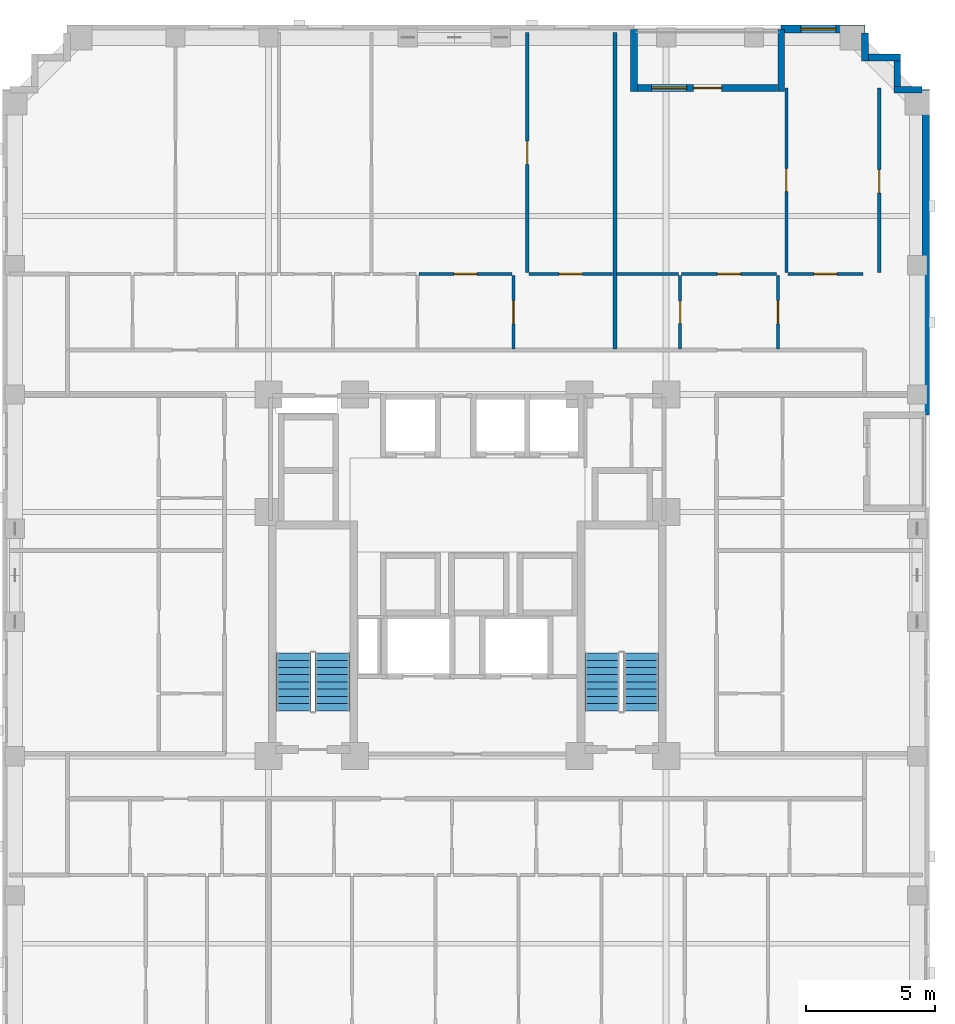
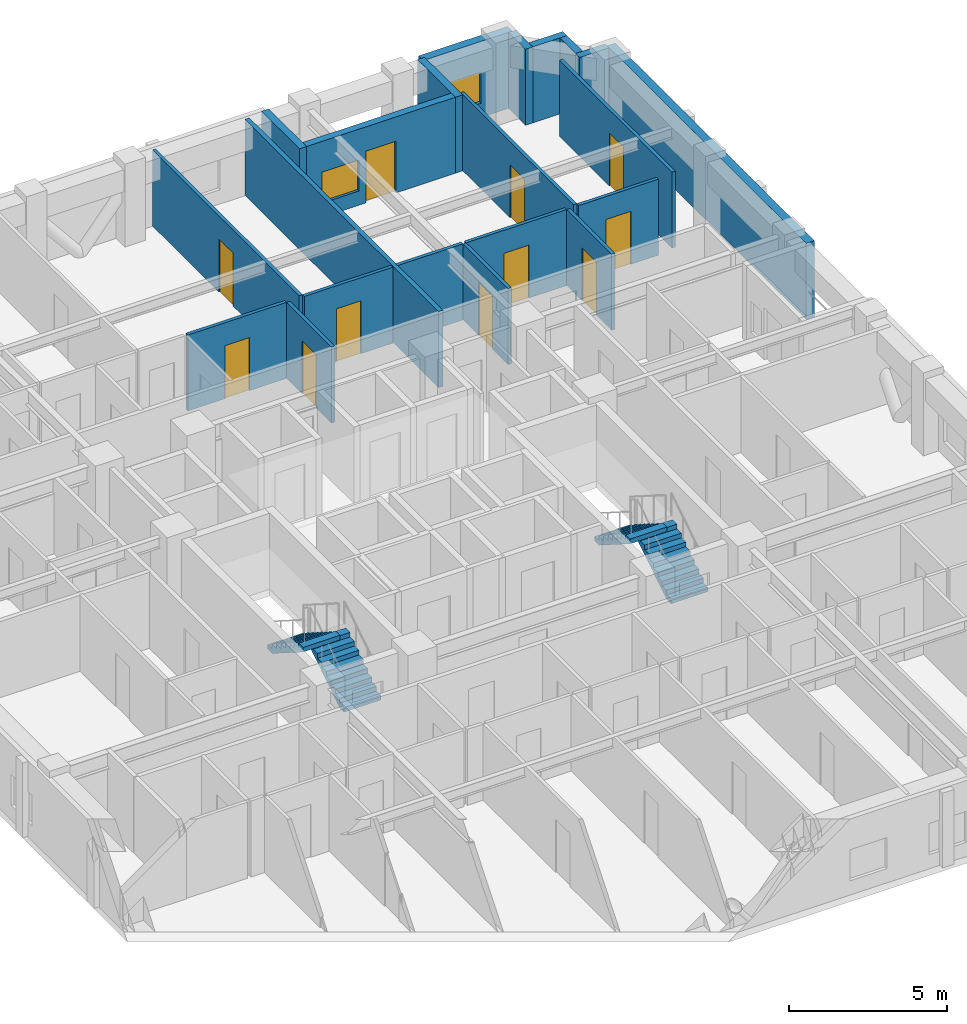
# One storey, part 8 of 12: 21 walls, 11 doors, 4 stair flights, 2 windows, 13 openings, 2 elements without a shape of their own.
"""IFC4 building model written with IfcOpenShell, lengths in metres."""

from ifc_helpers import new_model, si_unit, derived_unit, direction, frame, frame_2d, origin, place, context, subcontext, project, spatial, polyline, rectangle, outline, extrude, material, layer, layer_set, type_object, element, fill, aggregate, save


model = new_model("IFC4")

# Units and contexts
model_context = context("Model", 3, precision=1e-05, world=origin(), true_north=direction((0.0, 1.0)))
body_context = subcontext(model_context, "Body", "Model", "MODEL_VIEW")
ifc_project = project(units=[si_unit("LENGTHUNIT", "METRE"), si_unit("AREAUNIT", "SQUARE_METRE"), si_unit("VOLUMEUNIT", "CUBIC_METRE"), si_unit("PLANEANGLEUNIT", "RADIAN"), si_unit("MASSUNIT", "GRAM", prefix="KILO"), derived_unit("THERMALTRANSMITTANCEUNIT", [(si_unit("MASSUNIT", "GRAM", prefix="KILO"), 1), (si_unit("TIMEUNIT", "SECOND"), -3), (si_unit("THERMODYNAMICTEMPERATUREUNIT", "KELVIN"), -1)])], contexts=[model_context])

# Site, building, storey
site_placement = place(None, origin())
site = spatial("IfcSite", under=ifc_project, at=site_placement, CompositionType="ELEMENT")
building_placement = place(site_placement, origin())
building = spatial("IfcBuilding", under=site, at=building_placement, Name="Korrvale Station Residences", CompositionType="ELEMENT")
storey_placement = place(building_placement, frame((0.0, 0.0, 110.300048828125)))
storey = spatial("IfcBuildingStorey", under=building, at=storey_placement, Name="L31", CompositionType="ELEMENT", Elevation=110.300048828125)

# Wall
ifc_material_1 = material(Name="Precast concrete C45/55", Category="concrete")
ifc_layer_1 = layer(ifc_material_1, 0.260009765625, Name="Precast concrete C45/55")
ifc_layer_set_1 = layer_set([ifc_layer_1], Name="Precast concrete C45/55")
wall_type_1 = type_object("IfcWallType", Name="WAL-EXT-LOG260", PredefinedType="SOLIDWALL", material=ifc_layer_set_1)
wall_1_placement = place(storey_placement, frame((31.949951171875, 43.139892578125, 0.0), z_axis=(0.0, 0.0, 1.0), x_axis=(0.0, -1.0, 0.0)))
element("IfcWall", 1, at=wall_1_placement, inside=storey, type_object=wall_type_1, Name="L31 Recessed Loggia Wall BAL-L31-N1-L", PredefinedType="SOLIDWALL", context=body_context, shape_type="SweptSolid", body=[
    extrude(rectangle(XDim=2.39990234375, YDim=0.260009765625, at=frame_2d((1.199951171875, 0.0))), origin(), (0.0, 0.0, 1.0), 2.93994140625),
])

# Wall, openings, door, window
wall_2_placement = place(storey_placement, frame((32.083984375, 40.8701171875, 0.0), z_axis=(0.0, 0.0, 1.0), x_axis=(1.0, 0.0, 0.0)))
wall_2 = element("IfcWall", 2, at=wall_2_placement, inside=storey, type_object=wall_type_1, Name="L31 Recessed Loggia Wall BAL-L31-N1-B", PredefinedType="SOLIDWALL", context=body_context, shape_type="SweptSolid", body=[
    extrude(rectangle(XDim=5.43212890625, YDim=0.260009765625, at=frame_2d((2.716064453125, 0.0))), origin(), (0.0, 0.0, 1.0), 2.93994140625),
])
opening_1_placement = place(wall_2_placement, frame((2.166015625, 0.0, 0.0)))
opening_1 = element("IfcOpeningElement", 3, at=opening_1_placement, cuts=wall_2, Name="Opening BD-01", PredefinedType="OPENING", context=body_context, shape_type="SweptSolid", body=[
    extrude(rectangle(XDim=1.10009765625, YDim=2.0, at=frame_2d((0.550048828125, 1.0))), frame((0.0, 0.14013671875, 0.0), z_axis=(0.0, -1.0, 0.0), x_axis=(1.0, 0.0, 0.0)), (0.0, 0.0, 1.0), 0.280029296875),
])
opening_2_placement = place(wall_2_placement, frame((0.555908203125, 0.0, 0.550048828125)))
opening_2 = element("IfcOpeningElement", 4, at=opening_2_placement, cuts=wall_2, Name="Opening W-10", PredefinedType="OPENING", context=body_context, shape_type="SweptSolid", body=[
    extrude(rectangle(XDim=1.35009765625, YDim=1.199951171875, at=frame_2d((0.675048828125, 0.60009765625))), frame((0.0, 0.14013671875, 0.0), z_axis=(0.0, -1.0, 0.0), x_axis=(1.0, 0.0, 0.0)), (0.0, 0.0, 1.0), 0.280029296875),
])
ifc_material_2 = material(Name="Exterior thermally broken aluminium glazed balcony door", Category="aluminium")
door_type_1 = type_object("IfcDoorType", Name="DR-EXT-BAL", OperationType="NOTDEFINED", PredefinedType="DOOR", material=ifc_material_2)
door_1_placement = place(opening_1_placement, origin())
door_1 = element("IfcDoor", 5, at=door_1_placement, inside=storey, type_object=door_type_1, Name="L31 Loggia Balcony Door BAL-L31-N1", OperationType="SINGLE_SWING_LEFT", OverallHeight=2.0, OverallWidth=1.10009765625, PredefinedType="DOOR", context=body_context, shape_type="SweptSolid", body=[
    extrude(rectangle(XDim=1.10009765625, YDim=2.0, at=frame_2d((0.550048828125, 1.0))), frame((0.0, 0.02490234375, 0.0), z_axis=(0.0, -1.0, 0.0), x_axis=(1.0, 0.0, 0.0)), (0.0, 0.0, 1.0), 0.050048828125),
])
fill(opening_1, door_1)
ifc_material_3 = material(Name="Thermally broken aluminium frame with triple low-e glazing", Category="aluminium")
window_type = type_object("IfcWindowType", Name="WIN-W10", PartitioningType="SINGLE_PANEL", PredefinedType="WINDOW", material=ifc_material_3)
window_1_placement = place(opening_2_placement, origin())
window_1 = element("IfcWindow", 6, at=window_1_placement, inside=storey, type_object=window_type, Name="L31 Punched Window 17", OverallHeight=1.199951171875, OverallWidth=1.35009765625, PartitioningType="SINGLE_PANEL", PredefinedType="WINDOW", context=body_context, shape_type="SweptSolid", body=[
    extrude(rectangle(XDim=1.35009765625, YDim=1.199951171875, at=frame_2d((0.675048828125, 0.60009765625))), frame((0.0, 0.030029296875, 0.0), z_axis=(0.0, -1.0, 0.0), x_axis=(1.0, 0.0, 0.0)), (0.0, 0.0, 1.0), 0.06005859375),
])
fill(opening_2, window_1)

# Walls
wall_3_placement = place(storey_placement, frame((37.64990234375, 40.739990234375, 0.0), z_axis=(0.0, 0.0, 1.0), x_axis=(0.0, 1.0, 0.0)))
element("IfcWall", 7, at=wall_3_placement, inside=storey, type_object=wall_type_1, Name="L31 Recessed Loggia Wall BAL-L31-N1-R", PredefinedType="SOLIDWALL", context=body_context, shape_type="SweptSolid", body=[
    extrude(rectangle(XDim=2.39990234375, YDim=0.260009765625, at=frame_2d((1.199951171875, 0.0))), origin(), (0.0, 0.0, 1.0), 2.93994140625),
])
wall_4_placement = place(storey_placement, frame((40.89990234375, 42.998046875, 0.0), z_axis=(0.0, 0.0, 1.0), x_axis=(0.0, -1.0, 0.0)))
element("IfcWall", 8, at=wall_4_placement, inside=storey, type_object=wall_type_1, Name="L31 Serrated Corner Precast Step NE-1", PredefinedType="SOLIDWALL", context=body_context, shape_type="SweptSolid", body=[
    extrude(rectangle(XDim=1.078125, YDim=0.260009765625, at=frame_2d((0.5390625, 0.0))), origin(), (0.0, 0.0, 1.0), 2.93994140625),
])
wall_5_placement = place(storey_placement, frame((41.031982421875, 42.050048828125, 0.0), z_axis=(0.0, 0.0, 1.0), x_axis=(1.0, 0.0, 0.0)))
element("IfcWall", 9, at=wall_5_placement, inside=storey, type_object=wall_type_1, Name="L31 Serrated Corner Precast Step NE-2", PredefinedType="SOLIDWALL", context=body_context, shape_type="SweptSolid", body=[
    extrude(rectangle(XDim=1.248046875, YDim=0.260009765625, at=frame_2d((0.6240234375, 0.0))), origin(), (0.0, 0.0, 1.0), 2.93994140625),
])
wall_6_placement = place(storey_placement, frame((42.14990234375, 41.91796875, 0.0), z_axis=(0.0, 0.0, 1.0), x_axis=(0.0, -1.0, 0.0)))
element("IfcWall", 10, at=wall_6_placement, inside=storey, type_object=wall_type_1, Name="L31 Serrated Corner Precast Step NE-3", PredefinedType="SOLIDWALL", context=body_context, shape_type="SweptSolid", body=[
    extrude(rectangle(XDim=0.986083984375, YDim=0.260009765625, at=frame_2d((0.4931640625, 0.0))), origin(), (0.0, 0.0, 1.0), 2.93994140625),
])
wall_7_placement = place(storey_placement, frame((42.02001953125, 40.800048828125, 0.0), z_axis=(0.0, 0.0, 1.0), x_axis=(1.0, 0.0, 0.0)))
element("IfcWall", 11, at=wall_7_placement, inside=storey, type_object=wall_type_1, Name="L31 Serrated Corner Precast Step NE-4", PredefinedType="SOLIDWALL", context=body_context, shape_type="SweptSolid", body=[
    extrude(rectangle(XDim=1.077880859375, YDim=0.260009765625, at=frame_2d((0.5390625, 0.0))), origin(), (0.0, 0.0, 1.0), 2.93994140625),
])

# Wall, opening, window
ifc_layer_2 = layer(ifc_material_1, 0.300048828125, Name="Precast concrete C45/55")
ifc_layer_set_2 = layer_set([ifc_layer_2], Name="Precast concrete C45/55")
wall_type_2 = type_object("IfcWallType", Name="WAL-EXT-PC300", PredefinedType="SOLIDWALL", material=ifc_layer_set_2)
wall_8_placement = place(storey_placement, frame((37.64990234375, 43.14990234375, 0.0), z_axis=(0.0, 0.0, 1.0), x_axis=(1.0, 0.0, 0.0)))
wall_8 = element("IfcWall", 12, at=wall_8_placement, inside=storey, type_object=wall_type_2, Name="L31 North Exterior Precast Wall 2", PredefinedType="SOLIDWALL", context=body_context, shape_type="SweptSolid", body=[
    extrude(rectangle(XDim=3.25, YDim=0.300048828125, at=frame_2d((1.625, 0.0))), origin(), (0.0, 0.0, 1.0), 2.93994140625),
])
opening_3_placement = place(wall_8_placement, frame((0.764892578125, 0.0, 0.550048828125)))
opening_3 = element("IfcOpeningElement", 13, at=opening_3_placement, cuts=wall_8, Name="Opening W-10", PredefinedType="OPENING", context=body_context, shape_type="SweptSolid", body=[
    extrude(rectangle(XDim=1.35009765625, YDim=1.199951171875, at=frame_2d((0.675048828125, 0.60009765625))), frame((0.0, 0.16015625, 0.0), z_axis=(0.0, -1.0, 0.0), x_axis=(1.0, 0.0, 0.0)), (0.0, 0.0, 1.0), 0.320068359375),
])
window_2_placement = place(opening_3_placement, origin())
window_2 = element("IfcWindow", 14, at=window_2_placement, inside=storey, type_object=window_type, Name="L31 Punched Window 18", OverallHeight=1.199951171875, OverallWidth=1.35009765625, PartitioningType="SINGLE_PANEL", PredefinedType="WINDOW", context=body_context, shape_type="SweptSolid", body=[
    extrude(rectangle(XDim=1.35009765625, YDim=1.199951171875, at=frame_2d((0.675048828125, 0.60009765625))), frame((0.0, 0.030029296875, 0.0), z_axis=(0.0, -1.0, 0.0), x_axis=(1.0, 0.0, 0.0)), (0.0, 0.0, 1.0), 0.06005859375),
])
fill(opening_3, window_2)

# Wall
wall_9_placement = place(storey_placement, frame((43.25, 40.800048828125, 0.0), z_axis=(0.0, 0.0, 1.0), x_axis=(0.0, -1.0, 0.0)))
element("IfcWall", 15, at=wall_9_placement, inside=storey, type_object=wall_type_2, Name="L31 East Exterior Precast Wall 1", PredefinedType="SOLIDWALL", context=body_context, shape_type="SweptSolid", body=[
    extrude(rectangle(XDim=12.60009765625, YDim=0.300048828125, at=frame_2d((6.300048828125, 0.0))), origin(), (0.0, 0.0, 1.0), 2.93994140625),
])

# Wall, opening, door
ifc_material_4 = material(Name="Acoustic steel-stud gypsum board partition", Category="steel")
ifc_layer_3 = layer(ifc_material_4, 0.1201171875, Name="Acoustic steel-stud gypsum board partition")
ifc_layer_set_3 = layer_set([ifc_layer_3], Name="Acoustic steel-stud gypsum board partition")
wall_type_3 = type_object("IfcWallType", Name="WAL-PART-125", PredefinedType="PARTITIONING", material=ifc_layer_set_3)
wall_10_placement = place(storey_placement, frame((27.2900390625, 30.760009765625, 0.0), z_axis=(0.0, 0.0, 1.0), x_axis=(0.0, 1.0, 0.0)))
wall_10 = element("IfcWall", 16, at=wall_10_placement, inside=storey, type_object=wall_type_3, Name="L31 Suite Partition U03-V45", PredefinedType="PARTITIONING", context=body_context, shape_type="SweptSolid", body=[
    extrude(rectangle(XDim=2.85009765625, YDim=0.1201171875, at=frame_2d((1.425048828125, 0.0))), origin(), (0.0, 0.0, 1.0), 2.93994140625),
])
opening_4_placement = place(wall_10_placement, frame((0.97509765625, 0.0, 0.0)))
opening_4 = element("IfcOpeningElement", 17, at=opening_4_placement, cuts=wall_10, Name="Opening DI-900", PredefinedType="OPENING", context=body_context, shape_type="SweptSolid", body=[
    extrude(rectangle(XDim=0.89990234375, YDim=2.050048828125, at=frame_2d((0.449951171875, 1.02490234375))), frame((0.0, 0.070068359375, 0.0), z_axis=(0.0, -1.0, 0.0), x_axis=(1.0, 0.0, 0.0)), (0.0, 0.0, 1.0), 0.14013671875),
])
ifc_material_5 = material(Name="Painted solid-core timber interior room door", Category="wood")
door_type_2 = type_object("IfcDoorType", Name="DR-INT-900", OperationType="NOTDEFINED", PredefinedType="DOOR", material=ifc_material_5)
door_2_placement = place(opening_4_placement, origin())
door_2 = element("IfcDoor", 18, at=door_2_placement, inside=storey, type_object=door_type_2, Name="L31 Apartment 1BR L31-U03 Storage Closet 3 Door", OperationType="SINGLE_SWING_RIGHT", OverallHeight=2.050048828125, OverallWidth=0.89990234375, PredefinedType="DOOR", context=body_context, shape_type="SweptSolid", body=[
    extrude(rectangle(XDim=0.89990234375, YDim=2.050048828125, at=frame_2d((0.449951171875, 1.02490234375))), frame((0.0, 0.02490234375, 0.0), z_axis=(0.0, -1.0, 0.0), x_axis=(1.0, 0.0, 0.0)), (0.0, 0.0, 1.0), 0.050048828125),
])
fill(opening_4, door_2)

wall_11_placement = place(storey_placement, frame((23.6298828125, 33.669921875, 0.0), z_axis=(0.0, 0.0, 1.0), x_axis=(1.0, 0.0, 0.0)))
wall_11 = element("IfcWall", 19, at=wall_11_placement, inside=storey, type_object=wall_type_3, Name="L31 Suite Partition U03-H49", PredefinedType="PARTITIONING", context=body_context, shape_type="SweptSolid", body=[
    extrude(rectangle(XDim=3.60009765625, YDim=0.1201171875, at=frame_2d((1.800048828125, 0.0))), origin(), (0.0, 0.0, 1.0), 2.93994140625),
])
opening_5_placement = place(wall_11_placement, frame((1.35009765625, 0.0, 0.0)))
opening_5 = element("IfcOpeningElement", 20, at=opening_5_placement, cuts=wall_11, Name="Opening DI-900", PredefinedType="OPENING", context=body_context, shape_type="SweptSolid", body=[
    extrude(rectangle(XDim=0.89990234375, YDim=2.050048828125, at=frame_2d((0.449951171875, 1.02490234375))), frame((0.0, 0.070068359375, 0.0), z_axis=(0.0, -1.0, 0.0), x_axis=(1.0, 0.0, 0.0)), (0.0, 0.0, 1.0), 0.14013671875),
])
door_3_placement = place(opening_5_placement, origin())
door_3 = element("IfcDoor", 21, at=door_3_placement, inside=storey, type_object=door_type_2, Name="L31 Apartment 1BR L31-U03 Storage Closet 3 Door", OperationType="SINGLE_SWING_LEFT", OverallHeight=2.050048828125, OverallWidth=0.89990234375, PredefinedType="DOOR", context=body_context, shape_type="SweptSolid", body=[
    extrude(rectangle(XDim=0.89990234375, YDim=2.050048828125, at=frame_2d((0.449951171875, 1.02490234375))), frame((0.0, 0.02490234375, 0.0), z_axis=(0.0, -1.0, 0.0), x_axis=(1.0, 0.0, 0.0)), (0.0, 0.0, 1.0), 0.050048828125),
])
fill(opening_5, door_3)

wall_12_placement = place(storey_placement, frame((27.8798828125, 33.669921875, 0.0), z_axis=(0.0, 0.0, 1.0), x_axis=(1.0, 0.0, 0.0)))
wall_12 = element("IfcWall", 22, at=wall_12_placement, inside=storey, type_object=wall_type_3, Name="L31 Suite Partition U03-H510", PredefinedType="PARTITIONING", context=body_context, shape_type="SweptSolid", body=[
    extrude(rectangle(XDim=3.240234375, YDim=0.1201171875, at=frame_2d((1.6201171875, 0.0))), origin(), (0.0, 0.0, 1.0), 2.93994140625),
])
opening_6_placement = place(wall_12_placement, frame((1.169921875, 0.0, 0.0)))
opening_6 = element("IfcOpeningElement", 23, at=opening_6_placement, cuts=wall_12, Name="Opening DI-900", PredefinedType="OPENING", context=body_context, shape_type="SweptSolid", body=[
    extrude(rectangle(XDim=0.89990234375, YDim=2.050048828125, at=frame_2d((0.449951171875, 1.02490234375))), frame((0.0, 0.070068359375, 0.0), z_axis=(0.0, -1.0, 0.0), x_axis=(1.0, 0.0, 0.0)), (0.0, 0.0, 1.0), 0.14013671875),
])
door_4_placement = place(opening_6_placement, origin())
door_4 = element("IfcDoor", 24, at=door_4_placement, inside=storey, type_object=door_type_2, Name="L31 Apartment 1BR L31-U03 Storage Closet 4 Door", OperationType="SINGLE_SWING_RIGHT", OverallHeight=2.050048828125, OverallWidth=0.89990234375, PredefinedType="DOOR", context=body_context, shape_type="SweptSolid", body=[
    extrude(rectangle(XDim=0.89990234375, YDim=2.050048828125, at=frame_2d((0.449951171875, 1.02490234375))), frame((0.0, 0.02490234375, 0.0), z_axis=(0.0, -1.0, 0.0), x_axis=(1.0, 0.0, 0.0)), (0.0, 0.0, 1.0), 0.050048828125),
])
fill(opening_6, door_4)

wall_13_placement = place(storey_placement, frame((27.820068359375, 33.72998046875, 0.0), z_axis=(0.0, 0.0, 1.0), x_axis=(0.0, 1.0, 0.0)))
wall_13 = element("IfcWall", 25, at=wall_13_placement, inside=storey, type_object=wall_type_3, Name="L31 Suite Partition U03-V910", PredefinedType="PARTITIONING", context=body_context, shape_type="SweptSolid", body=[
    extrude(rectangle(XDim=9.2900390625, YDim=0.1201171875, at=frame_2d((4.64501953125, 0.0))), origin(), (0.0, 0.0, 1.0), 2.93994140625),
])
opening_7_placement = place(wall_13_placement, frame((4.179931640625, 0.0, 0.0)))
opening_7 = element("IfcOpeningElement", 26, at=opening_7_placement, cuts=wall_13, Name="Opening DI-900", PredefinedType="OPENING", context=body_context, shape_type="SweptSolid", body=[
    extrude(rectangle(XDim=0.89990234375, YDim=2.050048828125, at=frame_2d((0.449951171875, 1.02490234375))), frame((0.0, 0.070068359375, 0.0), z_axis=(0.0, -1.0, 0.0), x_axis=(1.0, 0.0, 0.0)), (0.0, 0.0, 1.0), 0.14013671875),
])
door_5_placement = place(opening_7_placement, origin())
door_5 = element("IfcDoor", 27, at=door_5_placement, inside=storey, type_object=door_type_2, Name="L31 Apartment 1BR L31-U03 Wardrobe Storage Room Door", OperationType="SINGLE_SWING_RIGHT", OverallHeight=2.050048828125, OverallWidth=0.89990234375, PredefinedType="DOOR", context=body_context, shape_type="SweptSolid", body=[
    extrude(rectangle(XDim=0.89990234375, YDim=2.050048828125, at=frame_2d((0.449951171875, 1.02490234375))), frame((0.0, 0.02490234375, 0.0), z_axis=(0.0, -1.0, 0.0), x_axis=(1.0, 0.0, 0.0)), (0.0, 0.0, 1.0), 0.050048828125),
])
fill(opening_7, door_5)

wall_14_placement = place(storey_placement, frame((33.739990234375, 30.760009765625, 0.0), z_axis=(0.0, 0.0, 1.0), x_axis=(0.0, 1.0, 0.0)))
wall_14 = element("IfcWall", 28, at=wall_14_placement, inside=storey, type_object=wall_type_3, Name="L31 Suite Partition U04-V01", PredefinedType="PARTITIONING", context=body_context, shape_type="SweptSolid", body=[
    extrude(rectangle(XDim=2.85009765625, YDim=0.1201171875, at=frame_2d((1.425048828125, 0.0))), origin(), (0.0, 0.0, 1.0), 2.93994140625),
])
opening_8_placement = place(wall_14_placement, frame((0.9951171875, 0.0, 0.0)))
opening_8 = element("IfcOpeningElement", 29, at=opening_8_placement, cuts=wall_14, Name="Opening DB-860", PredefinedType="OPENING", context=body_context, shape_type="SweptSolid", body=[
    extrude(rectangle(XDim=0.860107421875, YDim=2.050048828125, at=frame_2d((0.43017578125, 1.02490234375))), frame((0.0, 0.070068359375, 0.0), z_axis=(0.0, -1.0, 0.0), x_axis=(1.0, 0.0, 0.0)), (0.0, 0.0, 1.0), 0.14013671875),
])
ifc_material_6 = material(Name="Moisture-resistant solid-core bathroom door", Category="timber")
door_type_3 = type_object("IfcDoorType", Name="DR-BATH-860", OperationType="NOTDEFINED", PredefinedType="DOOR", material=ifc_material_6)
door_6_placement = place(opening_8_placement, origin())
door_6 = element("IfcDoor", 30, at=door_6_placement, inside=storey, type_object=door_type_3, Name="L31 Apartment 1BR L31-U04 Bathroom Door", OperationType="SINGLE_SWING_LEFT", OverallHeight=2.050048828125, OverallWidth=0.860107421875, PredefinedType="DOOR", context=body_context, shape_type="SweptSolid", body=[
    extrude(rectangle(XDim=0.860107421875, YDim=2.050048828125, at=frame_2d((0.43017578125, 1.02490234375))), frame((0.0, 0.02490234375, 0.0), z_axis=(0.0, -1.0, 0.0), x_axis=(1.0, 0.0, 0.0)), (0.0, 0.0, 1.0), 0.050048828125),
])
fill(opening_8, door_6)

# Wall
wall_15_placement = place(storey_placement, frame((31.280029296875, 33.669921875, 0.0), z_axis=(0.0, 0.0, 1.0), x_axis=(1.0, 0.0, 0.0)))
element("IfcWall", 31, at=wall_15_placement, inside=storey, type_object=wall_type_3, Name="L31 Suite Partition U04-H03", PredefinedType="PARTITIONING", context=body_context, shape_type="SweptSolid", body=[
    extrude(rectangle(XDim=2.39990234375, YDim=0.1201171875, at=frame_2d((1.199951171875, 0.0))), origin(), (0.0, 0.0, 1.0), 2.93994140625),
])

# Wall, opening, door
wall_16_placement = place(storey_placement, frame((37.530029296875, 30.760009765625, 0.0), z_axis=(0.0, 0.0, 1.0), x_axis=(0.0, 1.0, 0.0)))
wall_16 = element("IfcWall", 32, at=wall_16_placement, inside=storey, type_object=wall_type_3, Name="L31 Suite Partition U04-V12", PredefinedType="PARTITIONING", context=body_context, shape_type="SweptSolid", body=[
    extrude(rectangle(XDim=2.85009765625, YDim=0.1201171875, at=frame_2d((1.425048828125, 0.0))), origin(), (0.0, 0.0, 1.0), 2.93994140625),
])
opening_9_placement = place(wall_16_placement, frame((0.97509765625, 0.0, 0.0)))
opening_9 = element("IfcOpeningElement", 33, at=opening_9_placement, cuts=wall_16, Name="Opening DI-900", PredefinedType="OPENING", context=body_context, shape_type="SweptSolid", body=[
    extrude(rectangle(XDim=0.89990234375, YDim=2.050048828125, at=frame_2d((0.449951171875, 1.02490234375))), frame((0.0, 0.070068359375, 0.0), z_axis=(0.0, -1.0, 0.0), x_axis=(1.0, 0.0, 0.0)), (0.0, 0.0, 1.0), 0.14013671875),
])
door_7_placement = place(opening_9_placement, origin())
door_7 = element("IfcDoor", 34, at=door_7_placement, inside=storey, type_object=door_type_2, Name="L31 Apartment 1BR L31-U04 Kitchen Door", OperationType="SINGLE_SWING_RIGHT", OverallHeight=2.050048828125, OverallWidth=0.89990234375, PredefinedType="DOOR", context=body_context, shape_type="SweptSolid", body=[
    extrude(rectangle(XDim=0.89990234375, YDim=2.050048828125, at=frame_2d((0.449951171875, 1.02490234375))), frame((0.0, 0.02490234375, 0.0), z_axis=(0.0, -1.0, 0.0), x_axis=(1.0, 0.0, 0.0)), (0.0, 0.0, 1.0), 0.050048828125),
])
fill(opening_9, door_7)

wall_17_placement = place(storey_placement, frame((33.800048828125, 33.669921875, 0.0), z_axis=(0.0, 0.0, 1.0), x_axis=(1.0, 0.0, 0.0)))
wall_17 = element("IfcWall", 35, at=wall_17_placement, inside=storey, type_object=wall_type_3, Name="L31 Suite Partition U04-H13", PredefinedType="PARTITIONING", context=body_context, shape_type="SweptSolid", body=[
    extrude(rectangle(XDim=3.669921875, YDim=0.1201171875, at=frame_2d((1.8349609375, 0.0))), origin(), (0.0, 0.0, 1.0), 2.93994140625),
])
opening_10_placement = place(wall_17_placement, frame((1.385009765625, 0.0, 0.0)))
opening_10 = element("IfcOpeningElement", 36, at=opening_10_placement, cuts=wall_17, Name="Opening DI-900", PredefinedType="OPENING", context=body_context, shape_type="SweptSolid", body=[
    extrude(rectangle(XDim=0.89990234375, YDim=2.050048828125, at=frame_2d((0.449951171875, 1.02490234375))), frame((0.0, 0.070068359375, 0.0), z_axis=(0.0, -1.0, 0.0), x_axis=(1.0, 0.0, 0.0)), (0.0, 0.0, 1.0), 0.14013671875),
])
door_8_placement = place(opening_10_placement, origin())
door_8 = element("IfcDoor", 37, at=door_8_placement, inside=storey, type_object=door_type_2, Name="L31 Apartment 1BR L31-U04 Kitchen Door", OperationType="SINGLE_SWING_LEFT", OverallHeight=2.050048828125, OverallWidth=0.89990234375, PredefinedType="DOOR", context=body_context, shape_type="SweptSolid", body=[
    extrude(rectangle(XDim=0.89990234375, YDim=2.050048828125, at=frame_2d((0.449951171875, 1.02490234375))), frame((0.0, 0.02490234375, 0.0), z_axis=(0.0, -1.0, 0.0), x_axis=(1.0, 0.0, 0.0)), (0.0, 0.0, 1.0), 0.050048828125),
])
fill(opening_10, door_8)

wall_18_placement = place(storey_placement, frame((37.909912109375, 33.669921875, 0.0), z_axis=(0.0, 0.0, 1.0), x_axis=(1.0, 0.0, 0.0)))
wall_18 = element("IfcWall", 38, at=wall_18_placement, inside=storey, type_object=wall_type_3, Name="L31 Suite Partition U04-H24", PredefinedType="PARTITIONING", context=body_context, shape_type="SweptSolid", body=[
    extrude(rectangle(XDim=2.91015625, YDim=0.1201171875, at=frame_2d((1.455078125, 0.0))), origin(), (0.0, 0.0, 1.0), 2.93994140625),
])
opening_11_placement = place(wall_18_placement, frame((1.0048828125, 0.0, 0.0)))
opening_11 = element("IfcOpeningElement", 39, at=opening_11_placement, cuts=wall_18, Name="Opening DI-900", PredefinedType="OPENING", context=body_context, shape_type="SweptSolid", body=[
    extrude(rectangle(XDim=0.89990234375, YDim=2.050048828125, at=frame_2d((0.449951171875, 1.02490234375))), frame((0.0, 0.070068359375, 0.0), z_axis=(0.0, -1.0, 0.0), x_axis=(1.0, 0.0, 0.0)), (0.0, 0.0, 1.0), 0.14013671875),
])
door_9_placement = place(opening_11_placement, origin())
door_9 = element("IfcDoor", 40, at=door_9_placement, inside=storey, type_object=door_type_2, Name="L31 Apartment 1BR L31-U04 Utility and Laundry Room Door", OperationType="SINGLE_SWING_RIGHT", OverallHeight=2.050048828125, OverallWidth=0.89990234375, PredefinedType="DOOR", context=body_context, shape_type="SweptSolid", body=[
    extrude(rectangle(XDim=0.89990234375, YDim=2.050048828125, at=frame_2d((0.449951171875, 1.02490234375))), frame((0.0, 0.02490234375, 0.0), z_axis=(0.0, -1.0, 0.0), x_axis=(1.0, 0.0, 0.0)), (0.0, 0.0, 1.0), 0.050048828125),
])
fill(opening_11, door_9)

wall_19_placement = place(storey_placement, frame((37.85009765625, 33.72998046875, 0.0), z_axis=(0.0, 0.0, 1.0), x_axis=(0.0, 1.0, 0.0)))
wall_19 = element("IfcWall", 41, at=wall_19_placement, inside=storey, type_object=wall_type_3, Name="L31 Suite Partition U04-V34", PredefinedType="PARTITIONING", context=body_context, shape_type="SweptSolid", body=[
    extrude(rectangle(XDim=7.14013671875, YDim=0.1201171875, at=frame_2d((3.570068359375, 0.0))), origin(), (0.0, 0.0, 1.0), 2.93994140625),
])
opening_12_placement = place(wall_19_placement, frame((3.1201171875, 0.0, 0.0)))
opening_12 = element("IfcOpeningElement", 42, at=opening_12_placement, cuts=wall_19, Name="Opening DI-900", PredefinedType="OPENING", context=body_context, shape_type="SweptSolid", body=[
    extrude(rectangle(XDim=0.89990234375, YDim=2.050048828125, at=frame_2d((0.449951171875, 1.02490234375))), frame((0.0, 0.070068359375, 0.0), z_axis=(0.0, -1.0, 0.0), x_axis=(1.0, 0.0, 0.0)), (0.0, 0.0, 1.0), 0.14013671875),
])
door_10_placement = place(opening_12_placement, origin())
door_10 = element("IfcDoor", 43, at=door_10_placement, inside=storey, type_object=door_type_2, Name="L31 Apartment 1BR L31-U04 Living and Dining Room Door", OperationType="SINGLE_SWING_LEFT", OverallHeight=2.050048828125, OverallWidth=0.89990234375, PredefinedType="DOOR", context=body_context, shape_type="SweptSolid", body=[
    extrude(rectangle(XDim=0.89990234375, YDim=2.050048828125, at=frame_2d((0.449951171875, 1.02490234375))), frame((0.0, 0.02490234375, 0.0), z_axis=(0.0, -1.0, 0.0), x_axis=(1.0, 0.0, 0.0)), (0.0, 0.0, 1.0), 0.050048828125),
])
fill(opening_12, door_10)

wall_20_placement = place(storey_placement, frame((41.449951171875, 33.72998046875, 0.0), z_axis=(0.0, 0.0, 1.0), x_axis=(0.0, 1.0, 0.0)))
wall_20 = element("IfcWall", 44, at=wall_20_placement, inside=storey, type_object=wall_type_3, Name="L31 Suite Partition U04-V45", PredefinedType="PARTITIONING", context=body_context, shape_type="SweptSolid", body=[
    extrude(rectangle(XDim=7.14013671875, YDim=0.1201171875, at=frame_2d((3.570068359375, 0.0))), origin(), (0.0, 0.0, 1.0), 2.93994140625),
])
opening_13_placement = place(wall_20_placement, frame((3.074951171875, 0.0, 0.0)))
opening_13 = element("IfcOpeningElement", 45, at=opening_13_placement, cuts=wall_20, Name="Opening DI-900", PredefinedType="OPENING", context=body_context, shape_type="SweptSolid", body=[
    extrude(rectangle(XDim=0.89990234375, YDim=2.050048828125, at=frame_2d((0.449951171875, 1.02490234375))), frame((0.0, 0.070068359375, 0.0), z_axis=(0.0, -1.0, 0.0), x_axis=(1.0, 0.0, 0.0)), (0.0, 0.0, 1.0), 0.14013671875),
])
door_11_placement = place(opening_13_placement, origin())
door_11 = element("IfcDoor", 46, at=door_11_placement, inside=storey, type_object=door_type_2, Name="L31 Apartment 1BR L31-U04 Bedroom 1 Door", OperationType="SINGLE_SWING_RIGHT", OverallHeight=2.050048828125, OverallWidth=0.89990234375, PredefinedType="DOOR", context=body_context, shape_type="SweptSolid", body=[
    extrude(rectangle(XDim=0.89990234375, YDim=2.050048828125, at=frame_2d((0.449951171875, 1.02490234375))), frame((0.0, 0.02490234375, 0.0), z_axis=(0.0, -1.0, 0.0), x_axis=(1.0, 0.0, 0.0)), (0.0, 0.0, 1.0), 0.050048828125),
])
fill(opening_13, door_11)

# Wall
ifc_material_7 = material(Name="Fire-rated twin-stud gypsum and mineral wool shaftwall assembly", Category="gypsum")
ifc_layer_4 = layer(ifc_material_7, 0.159912109375, Name="Fire-rated twin-stud gypsum and mineral wool shaftwall assembly")
ifc_layer_set_4 = layer_set([ifc_layer_4], Name="Fire-rated twin-stud gypsum and mineral wool shaftwall assembly")
wall_type_4 = type_object("IfcWallType", Name="WAL-PART-200", PredefinedType="PARTITIONING", material=ifc_layer_set_4)
wall_21_placement = place(storey_placement, frame((31.219970703125, 30.760009765625, 0.0), z_axis=(0.0, 0.0, 1.0), x_axis=(0.0, 1.0, 0.0)))
element("IfcWall", 47, at=wall_21_placement, inside=storey, type_object=wall_type_4, Name="L31 Demising Wall U04-W", PredefinedType="PARTITIONING", context=body_context, shape_type="SweptSolid", body=[
    extrude(rectangle(XDim=12.260009765625, YDim=0.159912109375, at=frame_2d((6.1298828125, 0.0))), origin(), (0.0, 0.0, 1.0), 2.93994140625),
])

# Stair, stair flights
ifc_material_8 = material(Name="Concrete C50/60", Category="concrete")
stair_type = type_object("IfcStairType", Name="STR-DL-1350-18R-1778", PredefinedType="HALF_TURN_STAIR", material=ifc_material_8)
stair_1_placement = place(storey_placement, origin())
stair_1 = element("IfcStair", 48, at=stair_1_placement, inside=storey, type_object=stair_type, Name="L31 Exit Stair 1", PredefinedType="HALF_TURN_STAIR")
stair_flight_type = type_object("IfcStairFlightType", Name="FLT-DL-1350-18R-1778", PredefinedType="STRAIGHT", material=ifc_material_8)
stair_flight_1_placement = place(storey_placement, frame((20.27490234375, 16.75, 0.0), z_axis=(0.0, 0.0, 1.0), x_axis=(0.0, 1.0, 0.0)))
stair_flight_1 = element("IfcStairFlight", 49, at=stair_flight_1_placement, type_object=stair_flight_type, Name="ST-1 flight 1", NumberOfRisers=9, NumberOfTreads=8, PredefinedType="STRAIGHT", RiserHeight=0.177777778, TreadLength=0.28, context=body_context, shape_type="SweptSolid", body=[
    extrude(outline(polyline([(0.0, 0.0), (0.0, 0.177734375), (0.280029296875, 0.177734375), (0.280029296875, 0.35546875), (0.56005859375, 0.35546875), (0.56005859375, 0.533447265625), (0.840087890625, 0.533447265625), (0.840087890625, 0.711181640625), (1.1201171875, 0.711181640625), (1.1201171875, 0.888916015625), (1.39990234375, 0.888916015625), (1.39990234375, 1.066650390625), (1.679931640625, 1.066650390625), (1.679931640625, 1.244384765625), (1.9599609375, 1.244384765625), (1.9599609375, 1.422119140625), (2.239990234375, 1.422119140625), (2.239990234375, 1.60009765625), (2.239990234375, 1.24462890625), (0.27978515625, 0.0), (0.0, 0.0)])), frame((0.0, 0.675048828125, 0.0), z_axis=(0.0, -1.0, 0.0), x_axis=(1.0, 0.0, 0.0)), (0.0, 0.0, 1.0), 1.35009765625),
])
stair_flight_2_placement = place(storey_placement, frame((18.77490234375, 18.989990234375, 1.599853515625), z_axis=(0.0, 0.0, 1.0), x_axis=(0.0, -1.0, 0.0)))
stair_flight_2 = element("IfcStairFlight", 50, at=stair_flight_2_placement, type_object=stair_flight_type, Name="ST-1 flight 2", NumberOfRisers=9, NumberOfTreads=8, PredefinedType="STRAIGHT", RiserHeight=0.177777778, TreadLength=0.28, context=body_context, shape_type="SweptSolid", body=[
    extrude(outline(polyline([(0.0, 0.0), (0.0, 0.177734375), (0.280029296875, 0.177734375), (0.280029296875, 0.35546875), (0.56005859375, 0.35546875), (0.56005859375, 0.533447265625), (0.840087890625, 0.533447265625), (0.840087890625, 0.711181640625), (1.1201171875, 0.711181640625), (1.1201171875, 0.888916015625), (1.39990234375, 0.888916015625), (1.39990234375, 1.066650390625), (1.679931640625, 1.066650390625), (1.679931640625, 1.244384765625), (1.9599609375, 1.244384765625), (1.9599609375, 1.422119140625), (2.239990234375, 1.422119140625), (2.239990234375, 1.60009765625), (2.239990234375, 1.24462890625), (0.27978515625, 0.0), (0.0, 0.0)])), frame((0.0, 0.675048828125, 0.0), z_axis=(0.0, -1.0, 0.0), x_axis=(1.0, 0.0, 0.0)), (0.0, 0.0, 1.0), 1.35009765625),
])
aggregate(stair_1, [stair_flight_1, stair_flight_2])

stair_2_placement = place(storey_placement, origin())
stair_2 = element("IfcStair", 51, at=stair_2_placement, inside=storey, type_object=stair_type, Name="L31 Exit Stair 2", PredefinedType="HALF_TURN_STAIR")
stair_flight_3_placement = place(storey_placement, frame((32.22509765625, 16.75, 0.0), z_axis=(0.0, 0.0, 1.0), x_axis=(0.0, 1.0, 0.0)))
stair_flight_3 = element("IfcStairFlight", 52, at=stair_flight_3_placement, type_object=stair_flight_type, Name="ST-2 flight 1", NumberOfRisers=9, NumberOfTreads=8, PredefinedType="STRAIGHT", RiserHeight=0.177777778, TreadLength=0.28, context=body_context, shape_type="SweptSolid", body=[
    extrude(outline(polyline([(0.0, 0.0), (0.0, 0.177734375), (0.280029296875, 0.177734375), (0.280029296875, 0.35546875), (0.56005859375, 0.35546875), (0.56005859375, 0.533447265625), (0.840087890625, 0.533447265625), (0.840087890625, 0.711181640625), (1.1201171875, 0.711181640625), (1.1201171875, 0.888916015625), (1.39990234375, 0.888916015625), (1.39990234375, 1.066650390625), (1.679931640625, 1.066650390625), (1.679931640625, 1.244384765625), (1.9599609375, 1.244384765625), (1.9599609375, 1.422119140625), (2.239990234375, 1.422119140625), (2.239990234375, 1.60009765625), (2.239990234375, 1.24462890625), (0.27978515625, 0.0), (0.0, 0.0)])), frame((0.0, 0.675048828125, 0.0), z_axis=(0.0, -1.0, 0.0), x_axis=(1.0, 0.0, 0.0)), (0.0, 0.0, 1.0), 1.35009765625),
])
stair_flight_4_placement = place(storey_placement, frame((30.72509765625, 18.989990234375, 1.599853515625), z_axis=(0.0, 0.0, 1.0), x_axis=(0.0, -1.0, 0.0)))
stair_flight_4 = element("IfcStairFlight", 53, at=stair_flight_4_placement, type_object=stair_flight_type, Name="ST-2 flight 2", NumberOfRisers=9, NumberOfTreads=8, PredefinedType="STRAIGHT", RiserHeight=0.177777778, TreadLength=0.28, context=body_context, shape_type="SweptSolid", body=[
    extrude(outline(polyline([(0.0, 0.0), (0.0, 0.177734375), (0.280029296875, 0.177734375), (0.280029296875, 0.35546875), (0.56005859375, 0.35546875), (0.56005859375, 0.533447265625), (0.840087890625, 0.533447265625), (0.840087890625, 0.711181640625), (1.1201171875, 0.711181640625), (1.1201171875, 0.888916015625), (1.39990234375, 0.888916015625), (1.39990234375, 1.066650390625), (1.679931640625, 1.066650390625), (1.679931640625, 1.244384765625), (1.9599609375, 1.244384765625), (1.9599609375, 1.422119140625), (2.239990234375, 1.422119140625), (2.239990234375, 1.60009765625), (2.239990234375, 1.24462890625), (0.27978515625, 0.0), (0.0, 0.0)])), frame((0.0, 0.675048828125, 0.0), z_axis=(0.0, -1.0, 0.0), x_axis=(1.0, 0.0, 0.0)), (0.0, 0.0, 1.0), 1.35009765625),
])
aggregate(stair_2, [stair_flight_3, stair_flight_4])

save(model, "model.ifc")
